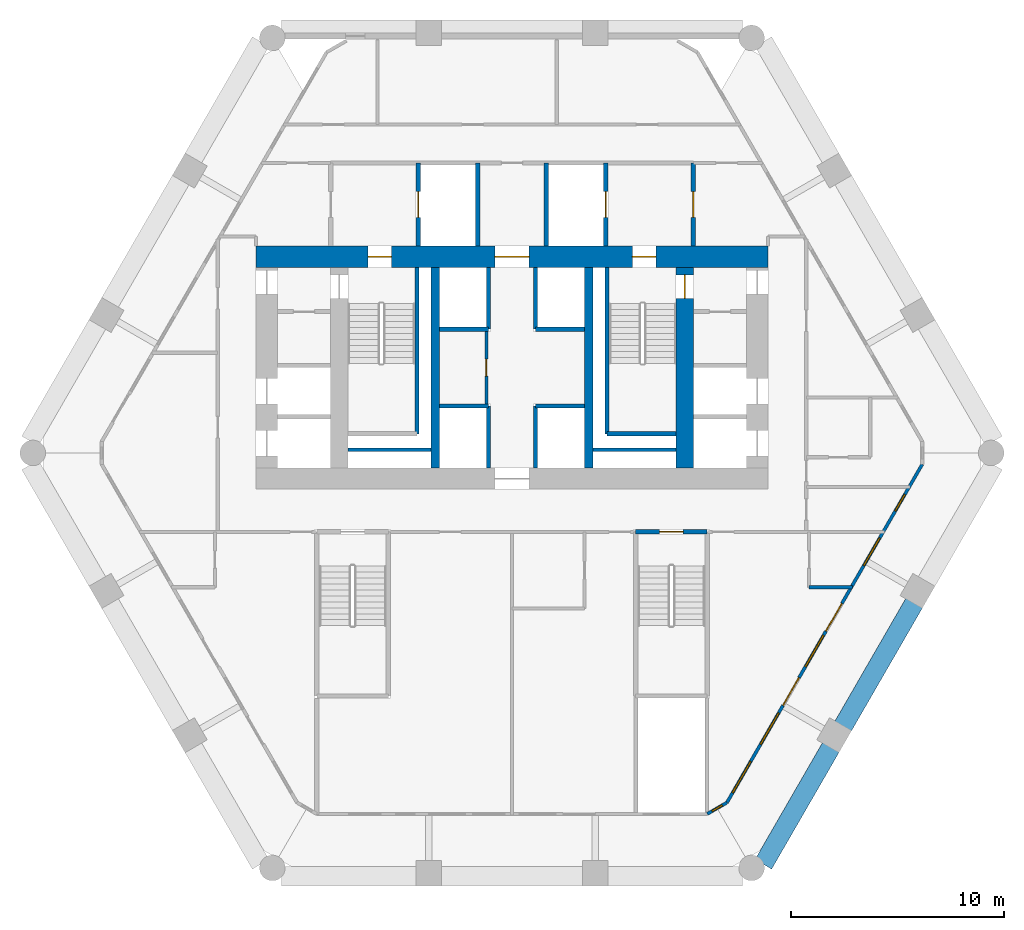
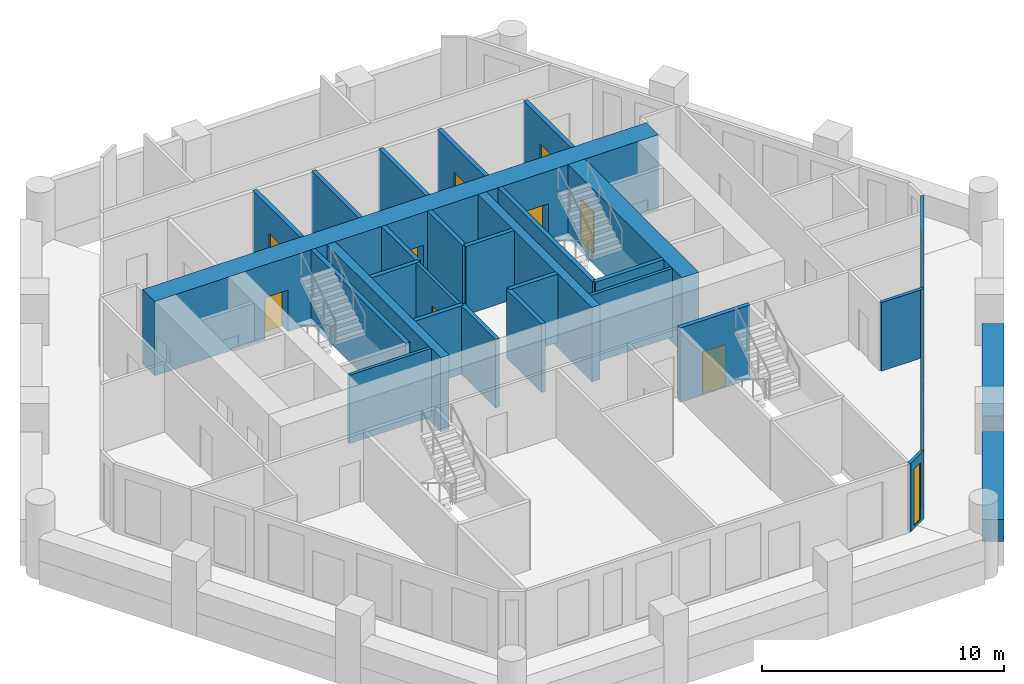
# One storey, part 4 of 7: 29 walls, 11 doors, 6 windows, 17 openings.
"""IFC4 building model written with IfcOpenShell, lengths in metres."""

from ifc_helpers import new_model, si_unit, direction, frame, frame_2d, origin, place, context, subcontext, project, spatial, rectangle, extrude, material, layer, layer_set, type_object, element, fill, save


model = new_model("IFC4")

# Units and contexts
model_context = context("Model", 3, precision=1e-05, world=origin(), true_north=direction((0.0, 1.0)))
body_context = subcontext(model_context, "Body", "Model", "MODEL_VIEW")
ifc_project = project(units=[si_unit("LENGTHUNIT", "METRE"), si_unit("AREAUNIT", "SQUARE_METRE"), si_unit("VOLUMEUNIT", "CUBIC_METRE"), si_unit("PLANEANGLEUNIT", "RADIAN"), si_unit("MASSUNIT", "GRAM", prefix="KILO")], contexts=[model_context])

# Site, building, storey
site_placement = place(None, origin())
site = spatial("IfcSite", under=ifc_project, at=site_placement, CompositionType="ELEMENT")
building_placement = place(site_placement, origin())
building = spatial("IfcBuilding", under=site, at=building_placement, Name="Ostrander Bayou Hotel Tower", CompositionType="ELEMENT")
storey_placement = place(building_placement, frame((0.0, 0.0, 89.25)))
storey = spatial("IfcBuildingStorey", under=building, at=storey_placement, Name="L22", CompositionType="ELEMENT", Elevation=89.25)

# Wall, openings, doors
ifc_material_1 = material(Name="Concrete f'c 70 MPa", Category="concrete")
ifc_layer_1 = layer(ifc_material_1, 1.0)
ifc_layer_set_1 = layer_set([ifc_layer_1], Name="CW4 core wall 1000 mm f'c 70 MPa")
wall_type_1 = type_object("IfcWallType", Name="CW4 core wall 1000 mm f'c 70 MPa", PredefinedType="SHEAR", material=ifc_layer_set_1)
wall_1_placement = place(storey_placement, frame((-12.0, 9.199951171875, -0.300048828125), z_axis=(0.0, 0.0, 1.0), x_axis=(1.0, 0.0, 0.0)))
wall_1 = element("IfcWall", 1, at=wall_1_placement, inside=storey, type_object=wall_type_1, Name="CW4 L22 N", PredefinedType="SHEAR", context=body_context, shape_type="SweptSolid", body=[
    extrude(rectangle(XDim=24.0, YDim=1.0, at=frame_2d((12.0, 0.0))), origin(), (0.0, 0.0, 1.0), 3.75),
])
opening_1_placement = place(wall_1_placement, frame((11.199951171875, 0.0, 0.0)))
opening_1 = element("IfcOpeningElement", 2, at=opening_1_placement, cuts=wall_1, Name="Opening T21-002", PredefinedType="OPENING", context=body_context, shape_type="SweptSolid", body=[
    extrude(rectangle(XDim=1.60009765625, YDim=2.10009765625, at=frame_2d((0.800048828125, 1.050048828125))), frame((0.0, 0.5, 0.0), z_axis=(0.0, -1.0, 0.0), x_axis=(1.0, 0.0, 0.0)), (0.0, 0.0, 1.0), 1.0),
])
opening_2_placement = place(wall_1_placement, frame((5.25, 0.0, 0.0)))
opening_2 = element("IfcOpeningElement", 3, at=opening_2_placement, cuts=wall_1, Name="Opening T21-003", PredefinedType="OPENING", context=body_context, shape_type="SweptSolid", body=[
    extrude(rectangle(XDim=1.10009765625, YDim=2.10009765625, at=frame_2d((0.550048828125, 1.050048828125))), frame((0.0, 0.5, 0.0), z_axis=(0.0, -1.0, 0.0), x_axis=(1.0, 0.0, 0.0)), (0.0, 0.0, 1.0), 1.0),
])
opening_3_placement = place(wall_1_placement, frame((17.64990234375, 0.0, 0.0)))
opening_3 = element("IfcOpeningElement", 4, at=opening_3_placement, cuts=wall_1, Name="Opening T21-005", PredefinedType="OPENING", context=body_context, shape_type="SweptSolid", body=[
    extrude(rectangle(XDim=1.10009765625, YDim=2.10009765625, at=frame_2d((0.550048828125, 1.050048828125))), frame((0.0, 0.5, 0.0), z_axis=(0.0, -1.0, 0.0), x_axis=(1.0, 0.0, 0.0)), (0.0, 0.0, 1.0), 1.0),
])
ifc_material_2 = material(Name="Timber door leaf", Category="wood")
door_type_1 = type_object("IfcDoorType", Name="D13 double door 1600 x 2100 mm, 1 hour", OperationType="SINGLE_SWING_LEFT", PredefinedType="DOOR", material=ifc_material_2)
door_1_placement = place(opening_1_placement, origin())
door_1 = element("IfcDoor", 5, at=door_1_placement, inside=storey, type_object=door_type_1, Name="dr:L22:002", OperationType="DOUBLE_DOOR_SINGLE_SWING", OverallHeight=2.10009765625, OverallWidth=1.60009765625, PredefinedType="DOOR", context=body_context, shape_type="SweptSolid", body=[
    extrude(rectangle(XDim=1.60009765625, YDim=2.10009765625, at=frame_2d((0.800048828125, 1.050048828125))), frame((0.0, 0.02490234375, 0.0), z_axis=(0.0, -1.0, 0.0), x_axis=(1.0, 0.0, 0.0)), (0.0, 0.0, 1.0), 0.050048828125),
])
fill(opening_1, door_1)
ifc_material_3 = material(Name="Timber door leaf", Category="wood")
door_type_2 = type_object("IfcDoorType", Name="D5 stair door 1100 x 2100 mm, 90 minute", OperationType="SINGLE_SWING_LEFT", PredefinedType="DOOR", material=ifc_material_3)
door_2_placement = place(opening_2_placement, origin())
door_2 = element("IfcDoor", 6, at=door_2_placement, inside=storey, type_object=door_type_2, Name="dr:L22:003", OperationType="SINGLE_SWING_LEFT", OverallHeight=2.10009765625, OverallWidth=1.10009765625, PredefinedType="DOOR", context=body_context, shape_type="SweptSolid", body=[
    extrude(rectangle(XDim=1.10009765625, YDim=2.10009765625, at=frame_2d((0.550048828125, 1.050048828125))), frame((0.0, 0.02490234375, 0.0), z_axis=(0.0, -1.0, 0.0), x_axis=(1.0, 0.0, 0.0)), (0.0, 0.0, 1.0), 0.050048828125),
])
fill(opening_2, door_2)
door_3_placement = place(opening_3_placement, origin())
door_3 = element("IfcDoor", 7, at=door_3_placement, inside=storey, type_object=door_type_2, Name="dr:L22:005", OperationType="SINGLE_SWING_RIGHT", OverallHeight=2.10009765625, OverallWidth=1.10009765625, PredefinedType="DOOR", context=body_context, shape_type="SweptSolid", body=[
    extrude(rectangle(XDim=1.10009765625, YDim=2.10009765625, at=frame_2d((0.550048828125, 1.050048828125))), frame((0.0, 0.02490234375, 0.0), z_axis=(0.0, -1.0, 0.0), x_axis=(1.0, 0.0, 0.0)), (0.0, 0.0, 1.0), 0.050048828125),
])
fill(opening_3, door_3)

# Wall, opening, door
ifc_material_4 = material(Name="Concrete f'c 70 MPa", Category="concrete")
ifc_layer_2 = layer(ifc_material_4, 0.800048828125)
ifc_layer_set_2 = layer_set([ifc_layer_2], Name="CW5 core spine wall 800 mm f'c 70 MPa")
wall_type_2 = type_object("IfcWallType", Name="CW5 core spine wall 800 mm f'c 70 MPa", PredefinedType="SHEAR", material=ifc_layer_set_2)
wall_2_placement = place(storey_placement, frame((8.10009765625, -0.699951171875, -0.300048828125), z_axis=(0.0, 0.0, 1.0), x_axis=(0.0, 1.0, 0.0)))
wall_2 = element("IfcWall", 8, at=wall_2_placement, inside=storey, type_object=wall_type_2, Name="CW5 L22 E", PredefinedType="SHEAR", context=body_context, shape_type="SweptSolid", body=[
    extrude(rectangle(XDim=9.39990234375, YDim=0.800048828125, at=frame_2d((4.699951171875, 0.0))), origin(), (0.0, 0.0, 1.0), 3.75),
])
opening_4_placement = place(wall_2_placement, frame((7.949951171875, 0.0, 0.0)))
opening_4 = element("IfcOpeningElement", 9, at=opening_4_placement, cuts=wall_2, Name="Opening T21-006", PredefinedType="OPENING", context=body_context, shape_type="SweptSolid", body=[
    extrude(rectangle(XDim=1.10009765625, YDim=2.10009765625, at=frame_2d((0.550048828125, 1.050048828125))), frame((0.0, 0.39990234375, 0.0), z_axis=(0.0, -1.0, 0.0), x_axis=(1.0, 0.0, 0.0)), (0.0, 0.0, 1.0), 0.800048828125),
])
door_4_placement = place(opening_4_placement, origin())
door_4 = element("IfcDoor", 10, at=door_4_placement, inside=storey, type_object=door_type_2, Name="dr:L22:006", OperationType="SINGLE_SWING_LEFT", OverallHeight=2.10009765625, OverallWidth=1.10009765625, PredefinedType="DOOR", context=body_context, shape_type="SweptSolid", body=[
    extrude(rectangle(XDim=1.10009765625, YDim=2.10009765625, at=frame_2d((0.550048828125, 1.050048828125))), frame((0.0, 0.02490234375, 0.0), z_axis=(0.0, -1.0, 0.0), x_axis=(1.0, 0.0, 0.0)), (0.0, 0.0, 1.0), 0.050048828125),
])
fill(opening_4, door_4)

# Walls
ifc_material_5 = material(Name="Concrete f'c 70 MPa", Category="concrete")
ifc_layer_3 = layer(ifc_material_5, 0.39990234375)
ifc_layer_set_3 = layer_set([ifc_layer_3], Name="CW6 core bank wall 400 mm f'c 70 MPa")
wall_type_3 = type_object("IfcWallType", Name="CW6 core bank wall 400 mm f'c 70 MPa", PredefinedType="SHEAR", material=ifc_layer_set_3)
for number, where, z_axis, x_axis, name in (
    (11, (-3.60009765625, -0.699951171875, -0.300048828125), (0.0, 0.0, 1.0), (0.0, 1.0, 0.0), "CW6 L22 CW"),
    (12, (3.60009765625, -0.699951171875, -0.300048828125), (0.0, 0.0, 1.0), (0.0, 1.0, 0.0), "CW6 L22 CE"),
):
    element("IfcWall", number, at=place(storey_placement, frame(where, z_axis=z_axis, x_axis=x_axis)), inside=storey, type_object=wall_type_3, Name=name, PredefinedType="SHEAR", context=body_context, shape_type="SweptSolid", body=[
        extrude(rectangle(XDim=9.39990234375, YDim=0.39990234375, at=frame_2d((4.699951171875, 0.0))), origin(), (0.0, 0.0, 1.0), 3.75),
    ])

# Wall, openings, doors, windows
ifc_material_6 = material(Name="Aluminium framed insulated wall", Category="aluminium")
ifc_layer_4 = layer(ifc_material_6, 0.14990234375)
ifc_layer_set_4 = layer_set([ifc_layer_4], Name="GW1 glass-line wall 150 mm")
wall_type_4 = type_object("IfcWallType", Name="GW1 glass-line wall 150 mm", PredefinedType="SOLIDWALL", material=ifc_layer_set_4)
wall_3_placement = place(storey_placement, frame((10.0791015625, -16.392578125, 0.0), z_axis=(0.0, 0.0, 1.0), x_axis=(0.499995945303, 0.866027744752, 0.0)))
wall_3 = element("IfcWall", 13, at=wall_3_placement, inside=storey, type_object=wall_type_4, Name="GW1 L22 SE 1", PredefinedType="SOLIDWALL", context=body_context, shape_type="SweptSolid", body=[
    extrude(rectangle(XDim=18.313720703125, YDim=0.14990234375, at=frame_2d((9.15673828125, 0.0))), origin(), (0.0, 0.0, 1.0), 3.449951171875),
])
opening_5_placement = place(wall_3_placement, frame((3.15673828125, 0.0, 0.14990234375)))
opening_5 = element("IfcOpeningElement", 14, at=opening_5_placement, cuts=wall_3, Name="Opening W2", PredefinedType="OPENING", context=body_context, shape_type="SweptSolid", body=[
    extrude(rectangle(XDim=1.699951171875, YDim=2.85009765625, at=frame_2d((0.85009765625, 1.425048828125))), frame((0.0, 0.074951171875, 0.0), z_axis=(0.0, -1.0, 0.0), x_axis=(1.0, 0.0, 0.0)), (0.0, 0.0, 1.0), 0.14990234375),
])
opening_6_placement = place(wall_3_placement, frame((5.2568359375, 0.0, 0.0)))
opening_6 = element("IfcOpeningElement", 15, at=opening_6_placement, cuts=wall_3, Name="Opening T21-804", PredefinedType="OPENING", context=body_context, shape_type="SweptSolid", body=[
    extrude(rectangle(XDim=1.5, YDim=2.39990234375, at=frame_2d((0.75, 1.199951171875))), frame((0.0, 0.074951171875, 0.0), z_axis=(0.0, -1.0, 0.0), x_axis=(1.0, 0.0, 0.0)), (0.0, 0.0, 1.0), 0.14990234375),
])
opening_7_placement = place(wall_3_placement, frame((7.356689453125, 0.0, 0.14990234375)))
opening_7 = element("IfcOpeningElement", 16, at=opening_7_placement, cuts=wall_3, Name="Opening W2", PredefinedType="OPENING", context=body_context, shape_type="SweptSolid", body=[
    extrude(rectangle(XDim=1.699951171875, YDim=2.85009765625, at=frame_2d((0.85009765625, 1.425048828125))), frame((0.0, 0.074951171875, 0.0), z_axis=(0.0, -1.0, 0.0), x_axis=(1.0, 0.0, 0.0)), (0.0, 0.0, 1.0), 0.14990234375),
])
opening_8_placement = place(wall_3_placement, frame((9.27978515625, 0.0, 0.0)))
opening_8 = element("IfcOpeningElement", 17, at=opening_8_placement, cuts=wall_3, Name="Opening T21-805", PredefinedType="OPENING", context=body_context, shape_type="SweptSolid", body=[
    extrude(rectangle(XDim=1.5, YDim=2.39990234375, at=frame_2d((0.75, 1.199951171875))), frame((0.0, 0.074951171875, 0.0), z_axis=(0.0, -1.0, 0.0), x_axis=(1.0, 0.0, 0.0)), (0.0, 0.0, 1.0), 0.14990234375),
])
opening_9_placement = place(wall_3_placement, frame((12.83203125, 0.0, 0.14990234375)))
opening_9 = element("IfcOpeningElement", 18, at=opening_9_placement, cuts=wall_3, Name="Opening W12", PredefinedType="OPENING", context=body_context, shape_type="SweptSolid", body=[
    extrude(rectangle(XDim=1.5, YDim=2.85009765625, at=frame_2d((0.75, 1.425048828125))), frame((0.0, 0.074951171875, 0.0), z_axis=(0.0, -1.0, 0.0), x_axis=(1.0, 0.0, 0.0)), (0.0, 0.0, 1.0), 0.14990234375),
])
opening_10_placement = place(wall_3_placement, frame((0.5283203125, 0.0, 0.14990234375)))
opening_10 = element("IfcOpeningElement", 19, at=opening_10_placement, cuts=wall_3, Name="Opening W2", PredefinedType="OPENING", context=body_context, shape_type="SweptSolid", body=[
    extrude(rectangle(XDim=1.699951171875, YDim=2.72998046875, at=frame_2d((0.85009765625, 1.364990234375))), frame((0.0, 0.074951171875, 0.0), z_axis=(0.0, -1.0, 0.0), x_axis=(1.0, 0.0, 0.0)), (0.0, 0.0, 1.0), 0.14990234375),
])
opening_11_placement = place(wall_3_placement, frame((15.781982421875, 0.0, 0.14990234375)))
opening_11 = element("IfcOpeningElement", 20, at=opening_11_placement, cuts=wall_3, Name="Opening W16", PredefinedType="OPENING", context=body_context, shape_type="SweptSolid", body=[
    extrude(rectangle(XDim=0.89990234375, YDim=2.72998046875, at=frame_2d((0.449951171875, 1.364990234375))), frame((0.0, 0.074951171875, 0.0), z_axis=(0.0, -1.0, 0.0), x_axis=(1.0, 0.0, 0.0)), (0.0, 0.0, 1.0), 0.14990234375),
])
ifc_material_7 = material(Name="Aluminium and clear glass", Category="aluminium")
door_type_3 = type_object("IfcDoorType", Name="SD2 sliding glass door 1500 mm, zone 2", OperationType="SLIDING_TO_LEFT", PredefinedType="DOOR", material=ifc_material_7)
door_5_placement = place(opening_6_placement, origin())
door_5 = element("IfcDoor", 21, at=door_5_placement, inside=storey, type_object=door_type_3, Name="SD2 L22 SE 1", OperationType="SLIDING_TO_LEFT", OverallHeight=2.39990234375, OverallWidth=1.5, PredefinedType="DOOR", context=body_context, shape_type="SweptSolid", body=[
    extrude(rectangle(XDim=1.5, YDim=2.39990234375, at=frame_2d((0.75, 1.199951171875))), frame((0.0, 0.02490234375, 0.0), z_axis=(0.0, -1.0, 0.0), x_axis=(1.0, 0.0, 0.0)), (0.0, 0.0, 1.0), 0.050048828125),
])
fill(opening_6, door_5)
door_6_placement = place(opening_8_placement, origin())
door_6 = element("IfcDoor", 22, at=door_6_placement, inside=storey, type_object=door_type_3, Name="SD2 L22 SE 2", OperationType="SLIDING_TO_RIGHT", OverallHeight=2.39990234375, OverallWidth=1.5, PredefinedType="DOOR", context=body_context, shape_type="SweptSolid", body=[
    extrude(rectangle(XDim=1.5, YDim=2.39990234375, at=frame_2d((0.75, 1.199951171875))), frame((0.0, 0.02490234375, 0.0), z_axis=(0.0, -1.0, 0.0), x_axis=(1.0, 0.0, 0.0)), (0.0, 0.0, 1.0), 0.050048828125),
])
fill(opening_8, door_6)
ifc_material_8 = material(Name="Aluminium and clear glass", Category="aluminium")
window_type_1 = type_object("IfcWindowType", Name="W12 fixed window 1500 mm, bath bay, zone 2", PartitioningType="SINGLE_PANEL", PredefinedType="WINDOW", material=ifc_material_8)
window_1_placement = place(opening_9_placement, origin())
window_1 = element("IfcWindow", 23, at=window_1_placement, inside=storey, type_object=window_type_1, Name="W12 L22 SE 3", OverallHeight=2.85009765625, OverallWidth=1.5, PartitioningType="SINGLE_PANEL", PredefinedType="WINDOW", context=body_context, shape_type="SweptSolid", body=[
    extrude(rectangle(XDim=1.5, YDim=2.85009765625, at=frame_2d((0.75, 1.425048828125))), frame((0.0, 0.030029296875, 0.0), z_axis=(0.0, -1.0, 0.0), x_axis=(1.0, 0.0, 0.0)), (0.0, 0.0, 1.0), 0.06005859375),
])
fill(opening_9, window_1)
ifc_material_9 = material(Name="Aluminium and clear glass", Category="aluminium")
window_type_2 = type_object("IfcWindowType", Name="W16 window 900 mm, zone 2", PartitioningType="SINGLE_PANEL", PredefinedType="WINDOW", material=ifc_material_9)
window_2_placement = place(opening_11_placement, origin())
window_2 = element("IfcWindow", 24, at=window_2_placement, inside=storey, type_object=window_type_2, Name="W16 L22 SE E21", OverallHeight=2.72998046875, OverallWidth=0.89990234375, PartitioningType="SINGLE_PANEL", PredefinedType="WINDOW", context=body_context, shape_type="SweptSolid", body=[
    extrude(rectangle(XDim=0.89990234375, YDim=2.72998046875, at=frame_2d((0.449951171875, 1.364990234375))), frame((0.0, 0.030029296875, 0.0), z_axis=(0.0, -1.0, 0.0), x_axis=(1.0, 0.0, 0.0)), (0.0, 0.0, 1.0), 0.06005859375),
])
fill(opening_11, window_2)
ifc_material_10 = material(Name="Aluminium and clear glass", Category="aluminium")
window_type_3 = type_object("IfcWindowType", Name="W2 fixed window 1700 mm, zone 2", PartitioningType="SINGLE_PANEL", PredefinedType="WINDOW", material=ifc_material_10)
window_3_placement = place(opening_5_placement, origin())
window_3 = element("IfcWindow", 25, at=window_3_placement, inside=storey, type_object=window_type_3, Name="W2 L22 SE 1", OverallHeight=2.85009765625, OverallWidth=1.699951171875, PartitioningType="SINGLE_PANEL", PredefinedType="WINDOW", context=body_context, shape_type="SweptSolid", body=[
    extrude(rectangle(XDim=1.699951171875, YDim=2.85009765625, at=frame_2d((0.85009765625, 1.425048828125))), frame((0.0, 0.030029296875, 0.0), z_axis=(0.0, -1.0, 0.0), x_axis=(1.0, 0.0, 0.0)), (0.0, 0.0, 1.0), 0.06005859375),
])
fill(opening_5, window_3)
window_4_placement = place(opening_7_placement, origin())
window_4 = element("IfcWindow", 26, at=window_4_placement, inside=storey, type_object=window_type_3, Name="W2 L22 SE 2", OverallHeight=2.85009765625, OverallWidth=1.699951171875, PartitioningType="SINGLE_PANEL", PredefinedType="WINDOW", context=body_context, shape_type="SweptSolid", body=[
    extrude(rectangle(XDim=1.699951171875, YDim=2.85009765625, at=frame_2d((0.85009765625, 1.425048828125))), frame((0.0, 0.030029296875, 0.0), z_axis=(0.0, -1.0, 0.0), x_axis=(1.0, 0.0, 0.0)), (0.0, 0.0, 1.0), 0.06005859375),
])
fill(opening_7, window_4)
window_5_placement = place(opening_10_placement, origin())
window_5 = element("IfcWindow", 27, at=window_5_placement, inside=storey, type_object=window_type_3, Name="W2 L22 SE E11", OverallHeight=2.72998046875, OverallWidth=1.699951171875, PartitioningType="SINGLE_PANEL", PredefinedType="WINDOW", context=body_context, shape_type="SweptSolid", body=[
    extrude(rectangle(XDim=1.699951171875, YDim=2.72998046875, at=frame_2d((0.85009765625, 1.364990234375))), frame((0.0, 0.030029296875, 0.0), z_axis=(0.0, -1.0, 0.0), x_axis=(1.0, 0.0, 0.0)), (0.0, 0.0, 1.0), 0.06005859375),
])
fill(opening_10, window_5)

# Wall, opening, window
wall_4_placement = place(storey_placement, frame((9.15673828125, -16.925048828125, 0.0), z_axis=(0.0, 0.0, 1.0), x_axis=(0.866048165231, 0.499960573946, 0.0)))
wall_4 = element("IfcWall", 28, at=wall_4_placement, inside=storey, type_object=wall_type_4, Name="GW1 L22 corner 4", PredefinedType="SOLIDWALL", context=body_context, shape_type="SweptSolid", body=[
    extrude(rectangle(XDim=1.06494140625, YDim=0.14990234375, at=frame_2d((0.532470703125, 0.0))), origin(), (0.0, 0.0, 1.0), 3.449951171875),
])
opening_12_placement = place(wall_4_placement, frame((0.257568359375, 0.0, 0.14990234375)))
opening_12 = element("IfcOpeningElement", 29, at=opening_12_placement, cuts=wall_4, Name="Opening W19", PredefinedType="OPENING", context=body_context, shape_type="SweptSolid", body=[
    extrude(rectangle(XDim=0.550048828125, YDim=2.85009765625, at=frame_2d((0.27490234375, 1.425048828125))), frame((0.0, 0.074951171875, 0.0), z_axis=(0.0, -1.0, 0.0), x_axis=(1.0, 0.0, 0.0)), (0.0, 0.0, 1.0), 0.14990234375),
])
ifc_material_11 = material(Name="Aluminium and clear glass", Category="aluminium")
window_type_4 = type_object("IfcWindowType", Name="W19 corner window 550 mm", PartitioningType="SINGLE_PANEL", PredefinedType="WINDOW", material=ifc_material_11)
window_6_placement = place(opening_12_placement, origin())
window_6 = element("IfcWindow", 30, at=window_6_placement, inside=storey, type_object=window_type_4, Name="W19 L22 corner 4", OverallHeight=2.85009765625, OverallWidth=0.550048828125, PartitioningType="SINGLE_PANEL", PredefinedType="WINDOW", context=body_context, shape_type="SweptSolid", body=[
    extrude(rectangle(XDim=0.550048828125, YDim=2.85009765625, at=frame_2d((0.27490234375, 1.425048828125))), frame((0.0, 0.030029296875, 0.0), z_axis=(0.0, -1.0, 0.0), x_axis=(1.0, 0.0, 0.0)), (0.0, 0.0, 1.0), 0.06005859375),
])
fill(opening_12, window_6)

# Walls
ifc_material_12 = material(Name="Limestone masonry", Category="masonry")
ifc_layer_5 = layer(ifc_material_12, 0.89990234375)
ifc_layer_set_5 = layer_set([ifc_layer_5], Name="PA2 limestone parapet 900 mm")
wall_type_5 = type_object("IfcWallType", Name="PA2 limestone parapet 900 mm", PredefinedType="PARAPET", material=ifc_layer_set_5)
wall_5_placement = place(storey_placement, frame((11.785888671875, -19.286376953125, 0.0), z_axis=(0.0, 0.0, 1.0), x_axis=(0.499982754166, 0.866035360443, 0.0)))
element("IfcWall", 31, at=wall_5_placement, inside=storey, type_object=wall_type_5, Name="PA2 L22 SE-1", PredefinedType="PARAPET", context=body_context, shape_type="SweptSolid", body=[
    extrude(rectangle(XDim=6.332763671875, YDim=0.89990234375, at=frame_2d((3.16650390625, 0.0))), origin(), (0.0, 0.0, 1.0), 1.10009765625),
])
wall_6_placement = place(storey_placement, frame((15.522216796875, -12.814697265625, 0.0), z_axis=(0.0, 0.0, 1.0), x_axis=(0.499999023957, 0.866025967302, 0.0)))
element("IfcWall", 32, at=wall_6_placement, inside=storey, type_object=wall_type_5, Name="PA2 L22 SE-2", PredefinedType="PARAPET", context=body_context, shape_type="SweptSolid", body=[
    extrude(rectangle(XDim=6.67333984375, YDim=0.89990234375, at=frame_2d((3.336669921875, 0.0))), origin(), (0.0, 0.0, 1.0), 1.10009765625),
])

# Wall, opening, door
ifc_material_13 = material(Name="Masonry block", Category="masonry")
ifc_layer_6 = layer(ifc_material_13, 0.199951171875)
ifc_layer_set_6 = layer_set([ifc_layer_6], Name="PT5 stair enclosure wall 200 mm masonry, 2 hour")
wall_type_6 = type_object("IfcWallType", Name="PT5 stair enclosure wall 200 mm masonry, 2 hour", PredefinedType="PARTITIONING", material=ifc_layer_set_6)
wall_7_placement = place(storey_placement, frame((8.5, 9.699951171875, 0.0), z_axis=(0.0, 0.0, 1.0), x_axis=(0.0, 1.0, 0.0)))
wall_7 = element("IfcWall", 33, at=wall_7_placement, inside=storey, type_object=wall_type_6, Name="cs:L22:027", PredefinedType="PARTITIONING", context=body_context, shape_type="SweptSolid", body=[
    extrude(rectangle(XDim=3.900146484375, YDim=0.199951171875, at=frame_2d((1.9501953125, 0.0))), origin(), (0.0, 0.0, 1.0), 3.449951171875),
])
opening_13_placement = place(wall_7_placement, frame((1.35009765625, 0.0, 0.0)))
opening_13 = element("IfcOpeningElement", 34, at=opening_13_placement, cuts=wall_7, Name="Opening T21-012", PredefinedType="OPENING", context=body_context, shape_type="SweptSolid", body=[
    extrude(rectangle(XDim=1.199951171875, YDim=2.10009765625, at=frame_2d((0.60009765625, 1.050048828125))), frame((0.0, 0.10009765625, 0.0), z_axis=(0.0, -1.0, 0.0), x_axis=(1.0, 0.0, 0.0)), (0.0, 0.0, 1.0), 0.199951171875),
])
ifc_material_14 = material(Name="Timber door leaf", Category="wood")
door_type_4 = type_object("IfcDoorType", Name="D7 lobby door 1200 x 2100 mm, 1 hour", OperationType="SINGLE_SWING_LEFT", PredefinedType="DOOR", material=ifc_material_14)
door_7_placement = place(opening_13_placement, origin())
door_7 = element("IfcDoor", 35, at=door_7_placement, inside=storey, type_object=door_type_4, Name="dr:L22:012", OperationType="SINGLE_SWING_LEFT", OverallHeight=2.10009765625, OverallWidth=1.199951171875, PredefinedType="DOOR", context=body_context, shape_type="SweptSolid", body=[
    extrude(rectangle(XDim=1.199951171875, YDim=2.10009765625, at=frame_2d((0.60009765625, 1.050048828125))), frame((0.0, 0.02490234375, 0.0), z_axis=(0.0, -1.0, 0.0), x_axis=(1.0, 0.0, 0.0)), (0.0, 0.0, 1.0), 0.050048828125),
])
fill(opening_13, door_7)

wall_8_placement = place(storey_placement, frame((-4.39990234375, 9.699951171875, 0.0), z_axis=(0.0, 0.0, 1.0), x_axis=(0.0, 1.0, 0.0)))
wall_8 = element("IfcWall", 36, at=wall_8_placement, inside=storey, type_object=wall_type_6, Name="cs:L22:028", PredefinedType="PARTITIONING", context=body_context, shape_type="SweptSolid", body=[
    extrude(rectangle(XDim=3.900146484375, YDim=0.199951171875, at=frame_2d((1.9501953125, 0.0))), origin(), (0.0, 0.0, 1.0), 3.449951171875),
])
opening_14_placement = place(wall_8_placement, frame((1.35009765625, 0.0, 0.0)))
opening_14 = element("IfcOpeningElement", 37, at=opening_14_placement, cuts=wall_8, Name="Opening T21-009", PredefinedType="OPENING", context=body_context, shape_type="SweptSolid", body=[
    extrude(rectangle(XDim=1.199951171875, YDim=2.10009765625, at=frame_2d((0.60009765625, 1.050048828125))), frame((0.0, 0.10009765625, 0.0), z_axis=(0.0, -1.0, 0.0), x_axis=(1.0, 0.0, 0.0)), (0.0, 0.0, 1.0), 0.199951171875),
])
ifc_material_15 = material(Name="Stainless steel sliding door", Category="steel")
door_type_5 = type_object("IfcDoorType", Name="LD1 lift landing door 1200 x 2100 mm", OperationType="SINGLE_SWING_LEFT", PredefinedType="DOOR", material=ifc_material_15)
door_8_placement = place(opening_14_placement, origin())
door_8 = element("IfcDoor", 38, at=door_8_placement, inside=storey, type_object=door_type_5, Name="dr:L22:009", OperationType="SLIDING_TO_LEFT", OverallHeight=2.10009765625, OverallWidth=1.199951171875, PredefinedType="DOOR", context=body_context, shape_type="SweptSolid", body=[
    extrude(rectangle(XDim=1.199951171875, YDim=2.10009765625, at=frame_2d((0.60009765625, 1.050048828125))), frame((0.0, 0.02490234375, 0.0), z_axis=(0.0, -1.0, 0.0), x_axis=(1.0, 0.0, 0.0)), (0.0, 0.0, 1.0), 0.050048828125),
])
fill(opening_14, door_8)

wall_9_placement = place(storey_placement, frame((4.39990234375, 9.699951171875, 0.0), z_axis=(0.0, 0.0, 1.0), x_axis=(0.0, 1.0, 0.0)))
wall_9 = element("IfcWall", 39, at=wall_9_placement, inside=storey, type_object=wall_type_6, Name="cs:L22:029", PredefinedType="PARTITIONING", context=body_context, shape_type="SweptSolid", body=[
    extrude(rectangle(XDim=3.900146484375, YDim=0.199951171875, at=frame_2d((1.9501953125, 0.0))), origin(), (0.0, 0.0, 1.0), 3.449951171875),
])
opening_15_placement = place(wall_9_placement, frame((1.35009765625, 0.0, 0.0)))
opening_15 = element("IfcOpeningElement", 40, at=opening_15_placement, cuts=wall_9, Name="Opening T21-011", PredefinedType="OPENING", context=body_context, shape_type="SweptSolid", body=[
    extrude(rectangle(XDim=1.199951171875, YDim=2.10009765625, at=frame_2d((0.60009765625, 1.050048828125))), frame((0.0, 0.10009765625, 0.0), z_axis=(0.0, -1.0, 0.0), x_axis=(1.0, 0.0, 0.0)), (0.0, 0.0, 1.0), 0.199951171875),
])
door_9_placement = place(opening_15_placement, origin())
door_9 = element("IfcDoor", 41, at=door_9_placement, inside=storey, type_object=door_type_5, Name="dr:L22:011", OperationType="SLIDING_TO_LEFT", OverallHeight=2.10009765625, OverallWidth=1.199951171875, PredefinedType="DOOR", context=body_context, shape_type="SweptSolid", body=[
    extrude(rectangle(XDim=1.199951171875, YDim=2.10009765625, at=frame_2d((0.60009765625, 1.050048828125))), frame((0.0, 0.02490234375, 0.0), z_axis=(0.0, -1.0, 0.0), x_axis=(1.0, 0.0, 0.0)), (0.0, 0.0, 1.0), 0.050048828125),
])
fill(opening_15, door_9)

# Walls
ifc_material_16 = material(Name="Masonry block", Category="masonry")
ifc_layer_7 = layer(ifc_material_16, 0.199951171875)
ifc_layer_set_7 = layer_set([ifc_layer_7], Name="PT6 lift shaft wall 200 mm masonry, 2 hour")
wall_type_7 = type_object("IfcWallType", Name="PT6 lift shaft wall 200 mm masonry, 2 hour", PredefinedType="PARTITIONING", material=ifc_layer_set_7)
for number, where, z_axis, x_axis, name in (
    (42, (-3.39990234375, 2.199951171875, 0.0), (0.0, 0.0, 1.0), (1.0, 0.0, 0.0), "cs:L22:001"),
    (43, (-3.39990234375, 5.800048828125, 0.0), (0.0, 0.0, 1.0), (1.0, 0.0, 0.0), "cs:L22:002"),
    (44, (1.10009765625, 2.199951171875, 0.0), (0.0, 0.0, 1.0), (1.0, 0.0, 0.0), "cs:L22:003"),
    (45, (1.10009765625, 5.800048828125, 0.0), (0.0, 0.0, 1.0), (1.0, 0.0, 0.0), "cs:L22:004"),
):
    element("IfcWall", number, at=place(storey_placement, frame(where, z_axis=z_axis, x_axis=x_axis)), inside=storey, type_object=wall_type_7, Name=name, PredefinedType="PARTITIONING", context=body_context, shape_type="SweptSolid", body=[
        extrude(rectangle(XDim=2.2998046875, YDim=0.199951171875, at=frame_2d((1.14990234375, 0.0))), origin(), (0.0, 0.0, 1.0), 3.449951171875),
    ])
for number, where, z_axis, x_axis, name in (
    (46, (-1.10009765625, -0.699951171875, 0.0), (0.0, 0.0, 1.0), (0.0, 1.0, 0.0), "cs:L22:005"),
    (47, (1.10009765625, -0.699951171875, 0.0), (0.0, 0.0, 1.0), (0.0, 1.0, 0.0), "cs:L22:006"),
    (48, (-1.10009765625, 5.800048828125, 0.0), (0.0, 0.0, 1.0), (0.0, 1.0, 0.0), "cs:L22:007"),
    (49, (1.10009765625, 5.800048828125, 0.0), (0.0, 0.0, 1.0), (0.0, 1.0, 0.0), "cs:L22:008"),
):
    element("IfcWall", number, at=place(storey_placement, frame(where, z_axis=z_axis, x_axis=x_axis)), inside=storey, type_object=wall_type_7, Name=name, PredefinedType="PARTITIONING", context=body_context, shape_type="SweptSolid", body=[
        extrude(rectangle(XDim=2.89990234375, YDim=0.199951171875, at=frame_2d((1.449951171875, 0.0))), origin(), (0.0, 0.0, 1.0), 3.449951171875),
    ])
for number, where, z_axis, x_axis, name in (
    (50, (-1.60009765625, 9.699951171875, 0.0), (0.0, 0.0, 1.0), (0.0, 1.0, 0.0), "cs:L22:030"),
    (51, (1.60009765625, 9.699951171875, 0.0), (0.0, 0.0, 1.0), (0.0, 1.0, 0.0), "cs:L22:031"),
):
    element("IfcWall", number, at=place(storey_placement, frame(where, z_axis=z_axis, x_axis=x_axis)), inside=storey, type_object=wall_type_7, Name=name, PredefinedType="PARTITIONING", context=body_context, shape_type="SweptSolid", body=[
        extrude(rectangle(XDim=3.900146484375, YDim=0.199951171875, at=frame_2d((1.9501953125, 0.0))), origin(), (0.0, 0.0, 1.0), 3.449951171875),
    ])
ifc_material_17 = material(Name="Gypsum board partition", Category="finish")
ifc_layer_8 = layer(ifc_material_17, 0.14990234375)
ifc_layer_set_8 = layer_set([ifc_layer_8], Name="PT7 riser wall 150 mm, 2 hour")
wall_type_8 = type_object("IfcWallType", Name="PT7 riser wall 150 mm, 2 hour", PredefinedType="PARTITIONING", material=ifc_layer_set_8)
for number, where, z_axis, x_axis, name in (
    (52, (-7.699951171875, 0.14990234375, 0.0), (0.0, 0.0, 1.0), (1.0, 0.0, 0.0), "cs:L22:011"),
    (53, (3.800048828125, 0.14990234375, 0.0), (0.0, 0.0, 1.0), (1.0, 0.0, 0.0), "cs:L22:014"),
):
    element("IfcWall", number, at=place(storey_placement, frame(where, z_axis=z_axis, x_axis=x_axis)), inside=storey, type_object=wall_type_8, Name=name, PredefinedType="PARTITIONING", context=body_context, shape_type="SweptSolid", body=[
        extrude(rectangle(XDim=3.89990234375, YDim=0.14990234375, at=frame_2d((1.949951171875, 0.0))), origin(), (0.0, 0.0, 1.0), 3.449951171875),
    ])

# Wall, opening, door
wall_10_placement = place(storey_placement, frame((-1.199951171875, 2.300048828125, 0.0), z_axis=(0.0, 0.0, 1.0), x_axis=(0.0, 1.0, 0.0)))
wall_10 = element("IfcWall", 54, at=wall_10_placement, inside=storey, type_object=wall_type_8, Name="cs:L22:032", PredefinedType="PARTITIONING", context=body_context, shape_type="SweptSolid", body=[
    extrude(rectangle(XDim=3.39990234375, YDim=0.14990234375, at=frame_2d((1.699951171875, 0.0))), origin(), (0.0, 0.0, 1.0), 3.449951171875),
])
opening_16_placement = place(wall_10_placement, frame((1.300048828125, 0.0, 0.0)))
opening_16 = element("IfcOpeningElement", 55, at=opening_16_placement, cuts=wall_10, Name="Opening T21-014", PredefinedType="OPENING", context=body_context, shape_type="SweptSolid", body=[
    extrude(rectangle(XDim=0.800048828125, YDim=2.10009765625, at=frame_2d((0.39990234375, 1.050048828125))), frame((0.0, 0.074951171875, 0.0), z_axis=(0.0, -1.0, 0.0), x_axis=(1.0, 0.0, 0.0)), (0.0, 0.0, 1.0), 0.14990234375),
])
ifc_material_18 = material(Name="Timber door leaf", Category="wood")
door_type_6 = type_object("IfcDoorType", Name="D6 riser door 800 x 2100 mm, 90 minute", OperationType="SINGLE_SWING_LEFT", PredefinedType="DOOR", material=ifc_material_18)
door_10_placement = place(opening_16_placement, origin())
door_10 = element("IfcDoor", 56, at=door_10_placement, inside=storey, type_object=door_type_6, Name="dr:L22:014", OperationType="SINGLE_SWING_LEFT", OverallHeight=2.10009765625, OverallWidth=0.800048828125, PredefinedType="DOOR", context=body_context, shape_type="SweptSolid", body=[
    extrude(rectangle(XDim=0.800048828125, YDim=2.10009765625, at=frame_2d((0.39990234375, 1.050048828125))), frame((0.0, 0.02490234375, 0.0), z_axis=(0.0, -1.0, 0.0), x_axis=(1.0, 0.0, 0.0)), (0.0, 0.0, 1.0), 0.050048828125),
])
fill(opening_16, door_10)

# Walls
ifc_material_19 = material(Name="Gypsum board partition", Category="finish")
ifc_layer_9 = layer(ifc_material_19, 0.14990234375)
ifc_layer_set_9 = layer_set([ifc_layer_9], Name="PT8 service band wall 150 mm, 1 hour")
wall_type_9 = type_object("IfcWallType", Name="PT8 service band wall 150 mm, 1 hour", PredefinedType="PARTITIONING", material=ifc_layer_set_9)
wall_11_placement = place(storey_placement, frame((13.929931640625, -6.300048828125, 0.0), z_axis=(0.0, 0.0, 1.0), x_axis=(1.0, 0.0, 0.0)))
element("IfcWall", 57, at=wall_11_placement, inside=storey, type_object=wall_type_9, Name="gw:L22:003", PredefinedType="PARTITIONING", context=body_context, shape_type="SweptSolid", body=[
    extrude(rectangle(XDim=2.028076171875, YDim=0.14990234375, at=frame_2d((1.01416015625, 0.0))), origin(), (0.0, 0.0, 1.0), 3.449951171875),
])
ifc_material_20 = material(Name="Concrete f'c 45 MPa", Category="concrete")
ifc_layer_10 = layer(ifc_material_20, 0.199951171875)
ifc_layer_set_10 = layer_set([ifc_layer_10], Name="SW5 stair enclosure wall 200 mm f'c 45 MPa")
wall_type_10 = type_object("IfcWallType", Name="SW5 stair enclosure wall 200 mm f'c 45 MPa", PredefinedType="SOLIDWALL", material=ifc_layer_set_10)
for number, where, z_axis, x_axis, name in (
    (58, (-4.449951171875, 0.89990234375, -0.300048828125), (0.0, 0.0, 1.0), (0.0, 1.0, 0.0), "cs:L22:009"),
    (59, (4.449951171875, 0.89990234375, -0.300048828125), (0.0, 0.0, 1.0), (0.0, 1.0, 0.0), "cs:L22:012"),
):
    element("IfcWall", number, at=place(storey_placement, frame(where, z_axis=z_axis, x_axis=x_axis)), inside=storey, type_object=wall_type_10, Name=name, PredefinedType="SOLIDWALL", context=body_context, shape_type="SweptSolid", body=[
        extrude(rectangle(XDim=7.800048828125, YDim=0.199951171875, at=frame_2d((3.89990234375, 0.0))), origin(), (0.0, 0.0, 1.0), 3.75),
    ])
wall_12_placement = place(storey_placement, frame((4.449951171875, 0.89990234375, -0.300048828125), z_axis=(0.0, 0.0, 1.0), x_axis=(1.0, 0.0, 0.0)))
element("IfcWall", 60, at=wall_12_placement, inside=storey, type_object=wall_type_10, Name="cs:L22:013", PredefinedType="SOLIDWALL", context=body_context, shape_type="SweptSolid", body=[
    extrude(rectangle(XDim=3.25, YDim=0.199951171875, at=frame_2d((1.625, 0.0))), origin(), (0.0, 0.0, 1.0), 3.75),
])

# Wall, opening, door
wall_13_placement = place(storey_placement, frame((5.800048828125, -3.699951171875, -0.300048828125), z_axis=(0.0, 0.0, 1.0), x_axis=(1.0, 0.0, 0.0)))
wall_13 = element("IfcWall", 61, at=wall_13_placement, inside=storey, type_object=wall_type_10, Name="cs:L22:015", PredefinedType="SOLIDWALL", context=body_context, shape_type="SweptSolid", body=[
    extrude(rectangle(XDim=3.349853515625, YDim=0.199951171875, at=frame_2d((1.6748046875, 0.0))), origin(), (0.0, 0.0, 1.0), 3.75),
])
opening_17_placement = place(wall_13_placement, frame((1.125, 0.0, 0.0)))
opening_17 = element("IfcOpeningElement", 62, at=opening_17_placement, cuts=wall_13, Name="Opening T21-007", PredefinedType="OPENING", context=body_context, shape_type="SweptSolid", body=[
    extrude(rectangle(XDim=1.10009765625, YDim=2.10009765625, at=frame_2d((0.550048828125, 1.050048828125))), frame((0.0, 0.10009765625, 0.0), z_axis=(0.0, -1.0, 0.0), x_axis=(1.0, 0.0, 0.0)), (0.0, 0.0, 1.0), 0.199951171875),
])
door_11_placement = place(opening_17_placement, origin())
door_11 = element("IfcDoor", 63, at=door_11_placement, inside=storey, type_object=door_type_2, Name="dr:L22:007", OperationType="SINGLE_SWING_LEFT", OverallHeight=2.10009765625, OverallWidth=1.10009765625, PredefinedType="DOOR", context=body_context, shape_type="SweptSolid", body=[
    extrude(rectangle(XDim=1.10009765625, YDim=2.10009765625, at=frame_2d((0.550048828125, 1.050048828125))), frame((0.0, 0.02490234375, 0.0), z_axis=(0.0, -1.0, 0.0), x_axis=(1.0, 0.0, 0.0)), (0.0, 0.0, 1.0), 0.050048828125),
])
fill(opening_17, door_11)

save(model, "model.ifc")
